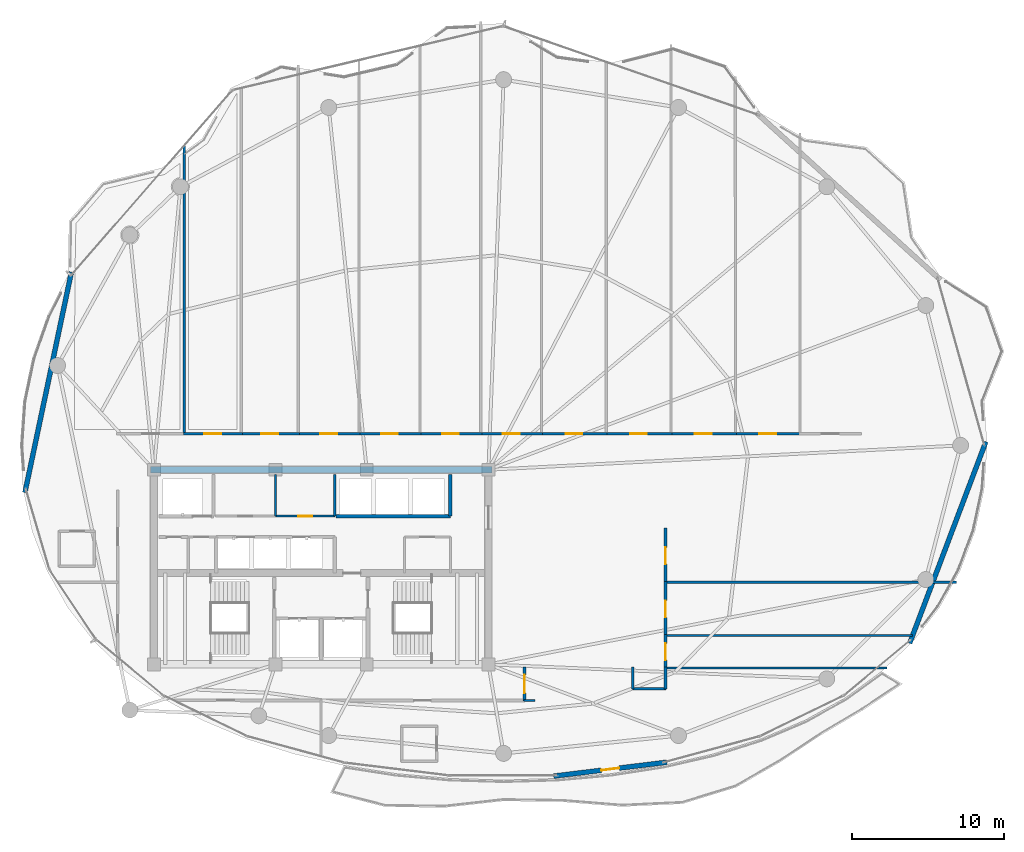
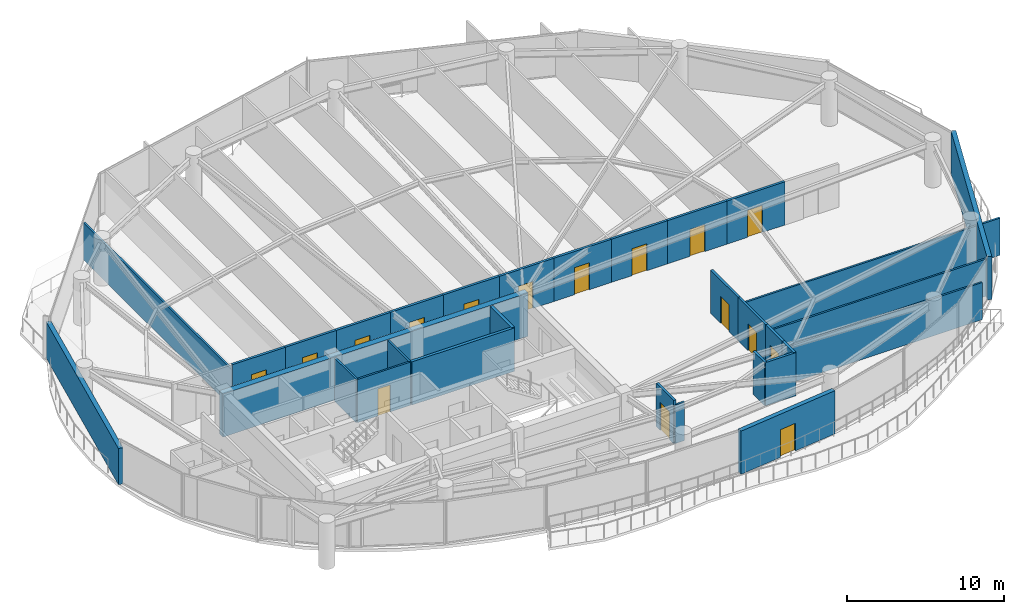
# One storey, part 24 of 29: 31 walls, 16 doors, 16 openings.
"""IFC4 building model written with IfcOpenShell, lengths in metres."""

from ifc_helpers import new_model, si_unit, direction, frame, frame_2d, origin, place, context, subcontext, project, spatial, rectangle, extrude, material, layer, layer_set, type_object, element, fill, save


model = new_model("IFC4")

# Units and contexts
model_context = context("Model", 3, precision=1e-05, world=origin(), true_north=direction((0.0, 1.0)))
body_context = subcontext(model_context, "Body", "Model", "MODEL_VIEW")
ifc_project = project(units=[si_unit("LENGTHUNIT", "METRE"), si_unit("AREAUNIT", "SQUARE_METRE"), si_unit("VOLUMEUNIT", "CUBIC_METRE"), si_unit("PLANEANGLEUNIT", "RADIAN"), si_unit("MASSUNIT", "GRAM", prefix="KILO")], contexts=[model_context])

# Site, building, storey
site_placement = place(None, origin())
site = spatial("IfcSite", under=ifc_project, at=site_placement, CompositionType="ELEMENT")
building_placement = place(site_placement, origin())
building = spatial("IfcBuilding", under=site, at=building_placement, Name="Kazevale Care Tower and Concert Hall", CompositionType="ELEMENT")
storey_placement = place(building_placement, frame((0.0, 0.0, 195.60009765625)))
storey = spatial("IfcBuildingStorey", under=building, at=storey_placement, Name="L51", CompositionType="ELEMENT", Elevation=195.60009765625)

# Wall, opening, door
ifc_material_1 = material(Name="Acoustic Gypsum on Steel Stud", Category="steel")
ifc_layer_1 = layer(ifc_material_1, 0.139892578125)
ifc_layer_set_1 = layer_set([ifc_layer_1], Name="Acoustic Gypsum on Steel Stud")
wall_type_1 = type_object("IfcWallType", Name="Acoustic Care & Suite Partition 140", PredefinedType="PARTITIONING", material=ifc_layer_set_1)
wall_1_placement = place(storey_placement, frame((30.0, 33.35009765625, 0.0), z_axis=(0.0, 0.0, 1.0), x_axis=(1.0, 0.0, 0.0)))
wall_1 = element("IfcWall", 1, at=wall_1_placement, inside=storey, type_object=wall_type_1, Name="wall:L51:c_rpl2_s", PredefinedType="PARTITIONING", context=body_context, shape_type="SweptSolid", body=[
    extrude(rectangle(XDim=3.919921875, YDim=0.139892578125, at=frame_2d((1.9599609375, 0.0))), origin(), (0.0, 0.0, 1.0), 3.35986328125),
])
opening_1_placement = place(wall_1_placement, frame((1.5, 0.0, 0.0)))
opening_1 = element("IfcOpeningElement", 2, at=opening_1_placement, cuts=wall_1, Name="Opening ID-900", PredefinedType="OPENING", context=body_context, shape_type="SweptSolid", body=[
    extrude(rectangle(XDim=0.919921875, YDim=2.10009765625, at=frame_2d((0.4599609375, 1.050048828125))), frame((0.0, 0.079833984375, 0.0), z_axis=(0.0, -1.0, 0.0), x_axis=(1.0, 0.0, 0.0)), (0.0, 0.0, 1.0), 0.159912109375),
])
ifc_material_2 = material(Name="Oak Timber Fire Leaf", Category="wood")
door_type_1 = type_object("IfcDoorType", Name="Bathroom & Service Door 920x2100", OperationType="NOTDEFINED", PredefinedType="DOOR", material=ifc_material_2)
door_1_placement = place(opening_1_placement, origin())
door_1 = element("IfcDoor", 3, at=door_1_placement, inside=storey, type_object=door_type_1, Name="door:L51:d_rpl2", OperationType="SINGLE_SWING_RIGHT", OverallHeight=2.10009765625, OverallWidth=0.919921875, PredefinedType="DOOR", context=body_context, shape_type="SweptSolid", body=[
    extrude(rectangle(XDim=0.919921875, YDim=2.10009765625, at=frame_2d((0.4599609375, 1.050048828125))), frame((0.0, 0.02490234375, 0.0), z_axis=(0.0, -1.0, 0.0), x_axis=(1.0, 0.0, 0.0)), (0.0, 0.0, 1.0), 0.050048828125),
])
fill(opening_1, door_1)

# Walls
for number, where, z_axis, x_axis, name in (
    (4, (30.0, 33.35009765625, 0.0), (0.0, 0.0, 1.0), (0.0, 1.0, 0.0), "wall:L51:c_rpl_m"),
    (5, (33.89990234375, 33.35009765625, 0.0), (0.0, 0.0, 1.0), (0.0, 1.0, 0.0), "wall:L51:c_rpl_e"),
):
    element("IfcWall", number, at=place(storey_placement, frame(where, z_axis=z_axis, x_axis=x_axis)), inside=storey, type_object=wall_type_1, Name=name, PredefinedType="PARTITIONING", context=body_context, shape_type="SweptSolid", body=[
        extrude(rectangle(XDim=2.75, YDim=0.139892578125, at=frame_2d((1.375, 0.0))), origin(), (0.0, 0.0, 1.0), 3.35986328125),
    ])
wall_2_placement = place(storey_placement, frame((24.0, 57.708984375, 0.0), z_axis=(0.0, 0.0, 1.0), x_axis=(0.0, -1.0, 0.0)))
element("IfcWall", 6, at=wall_2_placement, inside=storey, type_object=wall_type_1, Name="wall:L51:auto_024", PredefinedType="PARTITIONING", context=body_context, shape_type="SweptSolid", body=[
    extrude(rectangle(XDim=18.9638671875, YDim=0.139892578125, at=frame_2d((9.48193359375, 0.0))), origin(), (0.0, 0.0, 1.0), 2.889892578125),
])
wall_3_placement = place(storey_placement, frame((55.6201171875, 23.360107421875, 0.0), z_axis=(0.0, 0.0, 1.0), x_axis=(1.0, 0.0, 0.0)))
element("IfcWall", 7, at=wall_3_placement, inside=storey, type_object=wall_type_1, Name="wall:L51:auto_035", PredefinedType="PARTITIONING", context=body_context, shape_type="SweptSolid", body=[
    extrude(rectangle(XDim=14.594970703125, YDim=0.139892578125, at=frame_2d((7.29736328125, 0.0))), origin(), (0.0, 0.0, 1.0), 2.889892578125),
])
wall_4_placement = place(storey_placement, frame((47.06494140625, 21.22509765625, 0.0), z_axis=(0.0, 0.0, 1.0), x_axis=(-1.0, 0.0, 0.0)))
element("IfcWall", 8, at=wall_4_placement, inside=storey, type_object=wall_type_1, Name="wall:L51:auto_036", PredefinedType="PARTITIONING", context=body_context, shape_type="SweptSolid", body=[
    extrude(rectangle(XDim=0.719970703125, YDim=0.139892578125, at=frame_2d((0.35986328125, 0.0))), origin(), (0.0, 0.0, 1.0), 2.995849609375),
])
wall_5_placement = place(storey_placement, frame((55.6201171875, 25.5, 0.0), z_axis=(0.0, 0.0, 1.0), x_axis=(1.0, 0.0, 0.0)))
element("IfcWall", 9, at=wall_5_placement, inside=storey, type_object=wall_type_1, Name="wall:L51:auto_037", PredefinedType="PARTITIONING", context=body_context, shape_type="SweptSolid", body=[
    extrude(rectangle(XDim=16.263916015625, YDim=0.139892578125, at=frame_2d((8.1318359375, 0.0))), origin(), (0.0, 0.0, 1.0), 2.889892578125),
])
wall_6_placement = place(storey_placement, frame((55.6201171875, 29.0, 0.0), z_axis=(0.0, 0.0, 1.0), x_axis=(1.0, 0.0, 0.0)))
element("IfcWall", 10, at=wall_6_placement, inside=storey, type_object=wall_type_1, Name="wall:L51:auto_038", PredefinedType="PARTITIONING", context=body_context, shape_type="SweptSolid", body=[
    extrude(rectangle(XDim=19.14990234375, YDim=0.139892578125, at=frame_2d((9.574951171875, 0.0))), origin(), (0.0, 0.0, 1.0), 2.889892578125),
])
ifc_material_3 = material(Name="Concrete C50", Category="concrete")
ifc_layer_2 = layer(ifc_material_3, 0.449951171875)
ifc_layer_set_2 = layer_set([ifc_layer_2], Name="Concrete C50")
wall_type_2 = type_object("IfcWallType", Name="Core Shear Wall 450 C50", PredefinedType="SHEAR", material=ifc_layer_set_2)
wall_7_placement = place(storey_placement, frame((21.77490234375, 36.39990234375, 0.0), z_axis=(0.0, 0.0, 1.0), x_axis=(1.0, 0.0, 0.0)))
element("IfcWall", 11, at=wall_7_placement, inside=storey, type_object=wall_type_2, Name="wall:L51:core:N", PredefinedType="SHEAR", context=body_context, shape_type="SweptSolid", body=[
    extrude(rectangle(XDim=22.4501953125, YDim=0.449951171875, at=frame_2d((11.22509765625, 0.0))), origin(), (0.0, 0.0, 1.0), 3.35986328125),
])
ifc_material_4 = material(Name="Concrete C40", Category="concrete")
ifc_layer_3 = layer(ifc_material_4, 0.219970703125)
ifc_layer_set_3 = layer_set([ifc_layer_3], Name="Concrete C40")
wall_type_3 = type_object("IfcWallType", Name="Elevator Hoistway Shaft Wall 220", PredefinedType="SOLIDWALL", material=ifc_layer_set_3)
wall_8_placement = place(storey_placement, frame((33.97998046875, 33.35009765625, 0.0), z_axis=(0.0, 0.0, 1.0), x_axis=(1.0, 0.0, 0.0)))
element("IfcWall", 12, at=wall_8_placement, inside=storey, type_object=wall_type_3, Name="wall:L51:c_pm_s", PredefinedType="SOLIDWALL", context=body_context, shape_type="SweptSolid", body=[
    extrude(rectangle(XDim=7.5400390625, YDim=0.219970703125, at=frame_2d((3.77001953125, 0.0))), origin(), (0.0, 0.0, 1.0), 3.35986328125),
])
wall_9_placement = place(storey_placement, frame((41.5, 33.35009765625, 0.0), z_axis=(0.0, 0.0, 1.0), x_axis=(0.0, 1.0, 0.0)))
element("IfcWall", 13, at=wall_9_placement, inside=storey, type_object=wall_type_3, Name="wall:L51:c_pm_e", PredefinedType="SOLIDWALL", context=body_context, shape_type="SweptSolid", body=[
    extrude(rectangle(XDim=2.75, YDim=0.219970703125, at=frame_2d((1.375, 0.0))), origin(), (0.0, 0.0, 1.0), 3.35986328125),
])

# Wall, opening, door
ifc_material_5 = material(Name="Concrete C40 and Acoustic Gypsum", Category="concrete")
ifc_layer_4 = layer(ifc_material_5, 0.179931640625)
ifc_layer_set_4 = layer_set([ifc_layer_4], Name="Concrete C40 and Acoustic Gypsum")
wall_type_4 = type_object("IfcWallType", Name="Fire-Rated Corridor & Party Wall 180", PredefinedType="PARTITIONING", material=ifc_layer_set_4)
wall_10_placement = place(storey_placement, frame((23.93505859375, 38.77490234375, 0.0), z_axis=(0.0, 0.0, 1.0), x_axis=(1.0, 0.0, 0.0)))
wall_10 = element("IfcWall", 14, at=wall_10_placement, inside=storey, type_object=wall_type_4, Name="wall:L51:auto_002", PredefinedType="PARTITIONING", context=body_context, shape_type="SweptSolid", body=[
    extrude(rectangle(XDim=3.8798828125, YDim=0.179931640625, at=frame_2d((1.93994140625, 0.0))), origin(), (0.0, 0.0, 1.0), 3.35986328125),
])
opening_2_placement = place(wall_10_placement, frame((1.389892578125, 0.0, 0.0)))
opening_2 = element("IfcOpeningElement", 15, at=opening_2_placement, cuts=wall_10, Name="Opening ID-1100", PredefinedType="OPENING", context=body_context, shape_type="SweptSolid", body=[
    extrude(rectangle(XDim=1.10009765625, YDim=2.10009765625, at=frame_2d((0.550048828125, 1.050048828125))), frame((0.0, 0.099853515625, 0.0), z_axis=(0.0, -1.0, 0.0), x_axis=(1.0, 0.0, 0.0)), (0.0, 0.0, 1.0), 0.199951171875),
])
door_type_2 = type_object("IfcDoorType", Name="Care Bedroom Accessible Door 1100x2100", OperationType="NOTDEFINED", PredefinedType="DOOR", material=ifc_material_2)
door_2_placement = place(opening_2_placement, origin())
door_2 = element("IfcDoor", 16, at=door_2_placement, inside=storey, type_object=door_type_2, Name="door:L51:ad_002", OperationType="SINGLE_SWING_LEFT", OverallHeight=2.10009765625, OverallWidth=1.10009765625, PredefinedType="DOOR", context=body_context, shape_type="SweptSolid", body=[
    extrude(rectangle(XDim=1.10009765625, YDim=2.10009765625, at=frame_2d((0.550048828125, 1.050048828125))), frame((0.0, 0.02490234375, 0.0), z_axis=(0.0, -1.0, 0.0), x_axis=(1.0, 0.0, 0.0)), (0.0, 0.0, 1.0), 0.050048828125),
])
fill(opening_2, door_2)

wall_11_placement = place(storey_placement, frame((27.68505859375, 38.77490234375, 0.0), z_axis=(0.0, 0.0, 1.0), x_axis=(1.0, 0.0, 0.0)))
wall_11 = element("IfcWall", 17, at=wall_11_placement, inside=storey, type_object=wall_type_4, Name="wall:L51:auto_003", PredefinedType="PARTITIONING", context=body_context, shape_type="SweptSolid", body=[
    extrude(rectangle(XDim=3.8798828125, YDim=0.179931640625, at=frame_2d((1.93994140625, 0.0))), origin(), (0.0, 0.0, 1.0), 3.35986328125),
])
opening_3_placement = place(wall_11_placement, frame((1.389892578125, 0.0, 0.0)))
opening_3 = element("IfcOpeningElement", 18, at=opening_3_placement, cuts=wall_11, Name="Opening ID-1100", PredefinedType="OPENING", context=body_context, shape_type="SweptSolid", body=[
    extrude(rectangle(XDim=1.10009765625, YDim=2.10009765625, at=frame_2d((0.550048828125, 1.050048828125))), frame((0.0, 0.099853515625, 0.0), z_axis=(0.0, -1.0, 0.0), x_axis=(1.0, 0.0, 0.0)), (0.0, 0.0, 1.0), 0.199951171875),
])
door_3_placement = place(opening_3_placement, origin())
door_3 = element("IfcDoor", 19, at=door_3_placement, inside=storey, type_object=door_type_2, Name="door:L51:ad_003", OperationType="SINGLE_SWING_LEFT", OverallHeight=2.10009765625, OverallWidth=1.10009765625, PredefinedType="DOOR", context=body_context, shape_type="SweptSolid", body=[
    extrude(rectangle(XDim=1.10009765625, YDim=2.10009765625, at=frame_2d((0.550048828125, 1.050048828125))), frame((0.0, 0.02490234375, 0.0), z_axis=(0.0, -1.0, 0.0), x_axis=(1.0, 0.0, 0.0)), (0.0, 0.0, 1.0), 0.050048828125),
])
fill(opening_3, door_3)

wall_12_placement = place(storey_placement, frame((31.43505859375, 38.77490234375, 0.0), z_axis=(0.0, 0.0, 1.0), x_axis=(1.0, 0.0, 0.0)))
wall_12 = element("IfcWall", 20, at=wall_12_placement, inside=storey, type_object=wall_type_4, Name="wall:L51:auto_004", PredefinedType="PARTITIONING", context=body_context, shape_type="SweptSolid", body=[
    extrude(rectangle(XDim=4.1298828125, YDim=0.179931640625, at=frame_2d((2.06494140625, 0.0))), origin(), (0.0, 0.0, 1.0), 3.35986328125),
])
opening_4_placement = place(wall_12_placement, frame((1.514892578125, 0.0, 0.0)))
opening_4 = element("IfcOpeningElement", 21, at=opening_4_placement, cuts=wall_12, Name="Opening ID-1100", PredefinedType="OPENING", context=body_context, shape_type="SweptSolid", body=[
    extrude(rectangle(XDim=1.10009765625, YDim=2.10009765625, at=frame_2d((0.550048828125, 1.050048828125))), frame((0.0, 0.099853515625, 0.0), z_axis=(0.0, -1.0, 0.0), x_axis=(1.0, 0.0, 0.0)), (0.0, 0.0, 1.0), 0.199951171875),
])
door_4_placement = place(opening_4_placement, origin())
door_4 = element("IfcDoor", 22, at=door_4_placement, inside=storey, type_object=door_type_2, Name="door:L51:ad_004", OperationType="SINGLE_SWING_LEFT", OverallHeight=2.10009765625, OverallWidth=1.10009765625, PredefinedType="DOOR", context=body_context, shape_type="SweptSolid", body=[
    extrude(rectangle(XDim=1.10009765625, YDim=2.10009765625, at=frame_2d((0.550048828125, 1.050048828125))), frame((0.0, 0.02490234375, 0.0), z_axis=(0.0, -1.0, 0.0), x_axis=(1.0, 0.0, 0.0)), (0.0, 0.0, 1.0), 0.050048828125),
])
fill(opening_4, door_4)

wall_13_placement = place(storey_placement, frame((35.43505859375, 38.77490234375, 0.0), z_axis=(0.0, 0.0, 1.0), x_axis=(1.0, 0.0, 0.0)))
wall_13 = element("IfcWall", 23, at=wall_13_placement, inside=storey, type_object=wall_type_4, Name="wall:L51:auto_005", PredefinedType="PARTITIONING", context=body_context, shape_type="SweptSolid", body=[
    extrude(rectangle(XDim=4.1298828125, YDim=0.179931640625, at=frame_2d((2.06494140625, 0.0))), origin(), (0.0, 0.0, 1.0), 3.35986328125),
])
opening_5_placement = place(wall_13_placement, frame((1.514892578125, 0.0, 0.0)))
opening_5 = element("IfcOpeningElement", 24, at=opening_5_placement, cuts=wall_13, Name="Opening ID-1100", PredefinedType="OPENING", context=body_context, shape_type="SweptSolid", body=[
    extrude(rectangle(XDim=1.10009765625, YDim=2.10009765625, at=frame_2d((0.550048828125, 1.050048828125))), frame((0.0, 0.099853515625, 0.0), z_axis=(0.0, -1.0, 0.0), x_axis=(1.0, 0.0, 0.0)), (0.0, 0.0, 1.0), 0.199951171875),
])
door_5_placement = place(opening_5_placement, origin())
door_5 = element("IfcDoor", 25, at=door_5_placement, inside=storey, type_object=door_type_2, Name="door:L51:ad_005", OperationType="SINGLE_SWING_LEFT", OverallHeight=2.10009765625, OverallWidth=1.10009765625, PredefinedType="DOOR", context=body_context, shape_type="SweptSolid", body=[
    extrude(rectangle(XDim=1.10009765625, YDim=2.10009765625, at=frame_2d((0.550048828125, 1.050048828125))), frame((0.0, 0.02490234375, 0.0), z_axis=(0.0, -1.0, 0.0), x_axis=(1.0, 0.0, 0.0)), (0.0, 0.0, 1.0), 0.050048828125),
])
fill(opening_5, door_5)

wall_14_placement = place(storey_placement, frame((39.43505859375, 38.77490234375, 0.0), z_axis=(0.0, 0.0, 1.0), x_axis=(1.0, 0.0, 0.0)))
wall_14 = element("IfcWall", 26, at=wall_14_placement, inside=storey, type_object=wall_type_4, Name="wall:L51:auto_006", PredefinedType="PARTITIONING", context=body_context, shape_type="SweptSolid", body=[
    extrude(rectangle(XDim=4.1298828125, YDim=0.179931640625, at=frame_2d((2.06494140625, 0.0))), origin(), (0.0, 0.0, 1.0), 3.35986328125),
])
opening_6_placement = place(wall_14_placement, frame((1.514892578125, 0.0, 0.0)))
opening_6 = element("IfcOpeningElement", 27, at=opening_6_placement, cuts=wall_14, Name="Opening ID-1100", PredefinedType="OPENING", context=body_context, shape_type="SweptSolid", body=[
    extrude(rectangle(XDim=1.10009765625, YDim=2.10009765625, at=frame_2d((0.550048828125, 1.050048828125))), frame((0.0, 0.099853515625, 0.0), z_axis=(0.0, -1.0, 0.0), x_axis=(1.0, 0.0, 0.0)), (0.0, 0.0, 1.0), 0.199951171875),
])
door_6_placement = place(opening_6_placement, origin())
door_6 = element("IfcDoor", 28, at=door_6_placement, inside=storey, type_object=door_type_2, Name="door:L51:ad_006", OperationType="SINGLE_SWING_LEFT", OverallHeight=2.10009765625, OverallWidth=1.10009765625, PredefinedType="DOOR", context=body_context, shape_type="SweptSolid", body=[
    extrude(rectangle(XDim=1.10009765625, YDim=2.10009765625, at=frame_2d((0.550048828125, 1.050048828125))), frame((0.0, 0.02490234375, 0.0), z_axis=(0.0, -1.0, 0.0), x_axis=(1.0, 0.0, 0.0)), (0.0, 0.0, 1.0), 0.050048828125),
])
fill(opening_6, door_6)

wall_15_placement = place(storey_placement, frame((43.43505859375, 38.77490234375, 0.0), z_axis=(0.0, 0.0, 1.0), x_axis=(1.0, 0.0, 0.0)))
wall_15 = element("IfcWall", 29, at=wall_15_placement, inside=storey, type_object=wall_type_4, Name="wall:L51:auto_007", PredefinedType="PARTITIONING", context=body_context, shape_type="SweptSolid", body=[
    extrude(rectangle(XDim=4.1298828125, YDim=0.179931640625, at=frame_2d((2.06494140625, 0.0))), origin(), (0.0, 0.0, 1.0), 3.35986328125),
])
opening_7_placement = place(wall_15_placement, frame((1.514892578125, 0.0, 0.0)))
opening_7 = element("IfcOpeningElement", 30, at=opening_7_placement, cuts=wall_15, Name="Opening ID-1100", PredefinedType="OPENING", context=body_context, shape_type="SweptSolid", body=[
    extrude(rectangle(XDim=1.10009765625, YDim=2.10009765625, at=frame_2d((0.550048828125, 1.050048828125))), frame((0.0, 0.099853515625, 0.0), z_axis=(0.0, -1.0, 0.0), x_axis=(1.0, 0.0, 0.0)), (0.0, 0.0, 1.0), 0.199951171875),
])
door_7_placement = place(opening_7_placement, origin())
door_7 = element("IfcDoor", 31, at=door_7_placement, inside=storey, type_object=door_type_2, Name="door:L51:ad_007", OperationType="SINGLE_SWING_LEFT", OverallHeight=2.10009765625, OverallWidth=1.10009765625, PredefinedType="DOOR", context=body_context, shape_type="SweptSolid", body=[
    extrude(rectangle(XDim=1.10009765625, YDim=2.10009765625, at=frame_2d((0.550048828125, 1.050048828125))), frame((0.0, 0.02490234375, 0.0), z_axis=(0.0, -1.0, 0.0), x_axis=(1.0, 0.0, 0.0)), (0.0, 0.0, 1.0), 0.050048828125),
])
fill(opening_7, door_7)

wall_16_placement = place(storey_placement, frame((47.43505859375, 38.77490234375, 0.0), z_axis=(0.0, 0.0, 1.0), x_axis=(1.0, 0.0, 0.0)))
wall_16 = element("IfcWall", 32, at=wall_16_placement, inside=storey, type_object=wall_type_4, Name="wall:L51:auto_008", PredefinedType="PARTITIONING", context=body_context, shape_type="SweptSolid", body=[
    extrude(rectangle(XDim=4.3798828125, YDim=0.179931640625, at=frame_2d((2.18994140625, 0.0))), origin(), (0.0, 0.0, 1.0), 3.35986328125),
])
opening_8_placement = place(wall_16_placement, frame((1.639892578125, 0.0, 0.0)))
opening_8 = element("IfcOpeningElement", 33, at=opening_8_placement, cuts=wall_16, Name="Opening ID-1100", PredefinedType="OPENING", context=body_context, shape_type="SweptSolid", body=[
    extrude(rectangle(XDim=1.10009765625, YDim=2.10009765625, at=frame_2d((0.550048828125, 1.050048828125))), frame((0.0, 0.099853515625, 0.0), z_axis=(0.0, -1.0, 0.0), x_axis=(1.0, 0.0, 0.0)), (0.0, 0.0, 1.0), 0.199951171875),
])
door_8_placement = place(opening_8_placement, origin())
door_8 = element("IfcDoor", 34, at=door_8_placement, inside=storey, type_object=door_type_2, Name="door:L51:ad_008", OperationType="SINGLE_SWING_LEFT", OverallHeight=2.10009765625, OverallWidth=1.10009765625, PredefinedType="DOOR", context=body_context, shape_type="SweptSolid", body=[
    extrude(rectangle(XDim=1.10009765625, YDim=2.10009765625, at=frame_2d((0.550048828125, 1.050048828125))), frame((0.0, 0.02490234375, 0.0), z_axis=(0.0, -1.0, 0.0), x_axis=(1.0, 0.0, 0.0)), (0.0, 0.0, 1.0), 0.050048828125),
])
fill(opening_8, door_8)

wall_17_placement = place(storey_placement, frame((51.68505859375, 38.77490234375, 0.0), z_axis=(0.0, 0.0, 1.0), x_axis=(1.0, 0.0, 0.0)))
wall_17 = element("IfcWall", 35, at=wall_17_placement, inside=storey, type_object=wall_type_4, Name="wall:L51:auto_009", PredefinedType="PARTITIONING", context=body_context, shape_type="SweptSolid", body=[
    extrude(rectangle(XDim=4.3798828125, YDim=0.179931640625, at=frame_2d((2.18994140625, 0.0))), origin(), (0.0, 0.0, 1.0), 3.35986328125),
])
opening_9_placement = place(wall_17_placement, frame((1.639892578125, 0.0, 0.0)))
opening_9 = element("IfcOpeningElement", 36, at=opening_9_placement, cuts=wall_17, Name="Opening ID-1100", PredefinedType="OPENING", context=body_context, shape_type="SweptSolid", body=[
    extrude(rectangle(XDim=1.10009765625, YDim=2.10009765625, at=frame_2d((0.550048828125, 1.050048828125))), frame((0.0, 0.099853515625, 0.0), z_axis=(0.0, -1.0, 0.0), x_axis=(1.0, 0.0, 0.0)), (0.0, 0.0, 1.0), 0.199951171875),
])
door_9_placement = place(opening_9_placement, origin())
door_9 = element("IfcDoor", 37, at=door_9_placement, inside=storey, type_object=door_type_2, Name="door:L51:ad_009", OperationType="SINGLE_SWING_LEFT", OverallHeight=2.10009765625, OverallWidth=1.10009765625, PredefinedType="DOOR", context=body_context, shape_type="SweptSolid", body=[
    extrude(rectangle(XDim=1.10009765625, YDim=2.10009765625, at=frame_2d((0.550048828125, 1.050048828125))), frame((0.0, 0.02490234375, 0.0), z_axis=(0.0, -1.0, 0.0), x_axis=(1.0, 0.0, 0.0)), (0.0, 0.0, 1.0), 0.050048828125),
])
fill(opening_9, door_9)

wall_18_placement = place(storey_placement, frame((55.93505859375, 38.77490234375, 0.0), z_axis=(0.0, 0.0, 1.0), x_axis=(1.0, 0.0, 0.0)))
wall_18 = element("IfcWall", 38, at=wall_18_placement, inside=storey, type_object=wall_type_4, Name="wall:L51:auto_010", PredefinedType="PARTITIONING", context=body_context, shape_type="SweptSolid", body=[
    extrude(rectangle(XDim=4.3798828125, YDim=0.179931640625, at=frame_2d((2.18994140625, 0.0))), origin(), (0.0, 0.0, 1.0), 3.35986328125),
])
opening_10_placement = place(wall_18_placement, frame((1.639892578125, 0.0, 0.0)))
opening_10 = element("IfcOpeningElement", 39, at=opening_10_placement, cuts=wall_18, Name="Opening ID-1100", PredefinedType="OPENING", context=body_context, shape_type="SweptSolid", body=[
    extrude(rectangle(XDim=1.10009765625, YDim=2.10009765625, at=frame_2d((0.550048828125, 1.050048828125))), frame((0.0, 0.099853515625, 0.0), z_axis=(0.0, -1.0, 0.0), x_axis=(1.0, 0.0, 0.0)), (0.0, 0.0, 1.0), 0.199951171875),
])
door_10_placement = place(opening_10_placement, origin())
door_10 = element("IfcDoor", 40, at=door_10_placement, inside=storey, type_object=door_type_2, Name="door:L51:ad_010", OperationType="SINGLE_SWING_LEFT", OverallHeight=2.10009765625, OverallWidth=1.10009765625, PredefinedType="DOOR", context=body_context, shape_type="SweptSolid", body=[
    extrude(rectangle(XDim=1.10009765625, YDim=2.10009765625, at=frame_2d((0.550048828125, 1.050048828125))), frame((0.0, 0.02490234375, 0.0), z_axis=(0.0, -1.0, 0.0), x_axis=(1.0, 0.0, 0.0)), (0.0, 0.0, 1.0), 0.050048828125),
])
fill(opening_10, door_10)

wall_19_placement = place(storey_placement, frame((60.18505859375, 38.77490234375, 0.0), z_axis=(0.0, 0.0, 1.0), x_axis=(1.0, 0.0, 0.0)))
wall_19 = element("IfcWall", 41, at=wall_19_placement, inside=storey, type_object=wall_type_4, Name="wall:L51:auto_011", PredefinedType="PARTITIONING", context=body_context, shape_type="SweptSolid", body=[
    extrude(rectangle(XDim=4.3798828125, YDim=0.179931640625, at=frame_2d((2.18994140625, 0.0))), origin(), (0.0, 0.0, 1.0), 3.35986328125),
])
opening_11_placement = place(wall_19_placement, frame((1.639892578125, 0.0, 0.0)))
opening_11 = element("IfcOpeningElement", 42, at=opening_11_placement, cuts=wall_19, Name="Opening ID-1100", PredefinedType="OPENING", context=body_context, shape_type="SweptSolid", body=[
    extrude(rectangle(XDim=1.10009765625, YDim=2.10009765625, at=frame_2d((0.550048828125, 1.050048828125))), frame((0.0, 0.099853515625, 0.0), z_axis=(0.0, -1.0, 0.0), x_axis=(1.0, 0.0, 0.0)), (0.0, 0.0, 1.0), 0.199951171875),
])
door_11_placement = place(opening_11_placement, origin())
door_11 = element("IfcDoor", 43, at=door_11_placement, inside=storey, type_object=door_type_2, Name="door:L51:ad_011", OperationType="SINGLE_SWING_LEFT", OverallHeight=2.10009765625, OverallWidth=1.10009765625, PredefinedType="DOOR", context=body_context, shape_type="SweptSolid", body=[
    extrude(rectangle(XDim=1.10009765625, YDim=2.10009765625, at=frame_2d((0.550048828125, 1.050048828125))), frame((0.0, 0.02490234375, 0.0), z_axis=(0.0, -1.0, 0.0), x_axis=(1.0, 0.0, 0.0)), (0.0, 0.0, 1.0), 0.050048828125),
])
fill(opening_11, door_11)

wall_20_placement = place(storey_placement, frame((46.375, 23.425048828125, 0.0), z_axis=(0.0, 0.0, 1.0), x_axis=(0.0, -1.0, 0.0)))
wall_20 = element("IfcWall", 44, at=wall_20_placement, inside=storey, type_object=wall_type_4, Name="wall:L51:auto_013", PredefinedType="PARTITIONING", context=body_context, shape_type="SweptSolid", body=[
    extrude(rectangle(XDim=2.22998046875, YDim=0.179931640625, at=frame_2d((1.114990234375, 0.0))), origin(), (0.0, 0.0, 1.0), 3.35986328125),
])
opening_12_placement = place(wall_20_placement, frame((0.514892578125, 0.0, 0.0)))
opening_12 = element("IfcOpeningElement", 45, at=opening_12_placement, cuts=wall_20, Name="Opening ID-1200", PredefinedType="OPENING", context=body_context, shape_type="SweptSolid", body=[
    extrude(rectangle(XDim=1.199951171875, YDim=2.14990234375, at=frame_2d((0.60009765625, 1.074951171875))), frame((0.0, 0.099853515625, 0.0), z_axis=(0.0, -1.0, 0.0), x_axis=(1.0, 0.0, 0.0)), (0.0, 0.0, 1.0), 0.199951171875),
])
door_type_3 = type_object("IfcDoorType", Name="Clinical & Therapy Door 1200x2150", OperationType="NOTDEFINED", PredefinedType="DOOR", material=ifc_material_2)
door_12_placement = place(opening_12_placement, origin())
door_12 = element("IfcDoor", 46, at=door_12_placement, inside=storey, type_object=door_type_3, Name="door:L51:ad_013", OperationType="SINGLE_SWING_LEFT", OverallHeight=2.14990234375, OverallWidth=1.199951171875, PredefinedType="DOOR", context=body_context, shape_type="SweptSolid", body=[
    extrude(rectangle(XDim=1.199951171875, YDim=2.14990234375, at=frame_2d((0.60009765625, 1.074951171875))), frame((0.0, 0.02490234375, 0.0), z_axis=(0.0, -1.0, 0.0), x_axis=(1.0, 0.0, 0.0)), (0.0, 0.0, 1.0), 0.050048828125),
])
fill(opening_12, door_12)

# Walls
wall_21_placement = place(storey_placement, frame((55.679931640625, 22.0, 0.0), z_axis=(0.0, 0.0, 1.0), x_axis=(-1.0, 0.0, 0.0)))
element("IfcWall", 47, at=wall_21_placement, inside=storey, type_object=wall_type_4, Name="wall:L51:auto_014", PredefinedType="PARTITIONING", context=body_context, shape_type="SweptSolid", body=[
    extrude(rectangle(XDim=2.2099609375, YDim=0.179931640625, at=frame_2d((1.10498046875, 0.0))), origin(), (0.0, 0.0, 1.0), 3.35986328125),
])
for number, where, z_axis, x_axis, name in (
    (48, (55.64990234375, 23.425048828125, 0.0), (0.0, 0.0, 1.0), (0.0, -1.0, 0.0), "wall:L51:auto_015"),
    (49, (53.5, 21.969970703125, 0.0), (0.0, 0.0, 1.0), (0.0, 1.0, 0.0), "wall:L51:auto_016"),
):
    element("IfcWall", number, at=place(storey_placement, frame(where, z_axis=z_axis, x_axis=x_axis)), inside=storey, type_object=wall_type_4, Name=name, PredefinedType="PARTITIONING", context=body_context, shape_type="SweptSolid", body=[
        extrude(rectangle(XDim=1.455078125, YDim=0.179931640625, at=frame_2d((0.7275390625, 0.0))), origin(), (0.0, 0.0, 1.0), 3.35986328125),
    ])

# Wall, opening, door
wall_22_placement = place(storey_placement, frame((55.64990234375, 25.56494140625, 0.0), z_axis=(0.0, 0.0, 1.0), x_axis=(0.0, -1.0, 0.0)))
wall_22 = element("IfcWall", 50, at=wall_22_placement, inside=storey, type_object=wall_type_4, Name="wall:L51:auto_017", PredefinedType="PARTITIONING", context=body_context, shape_type="SweptSolid", body=[
    extrude(rectangle(XDim=2.27001953125, YDim=0.179931640625, at=frame_2d((1.135009765625, 0.0))), origin(), (0.0, 0.0, 1.0), 3.35986328125),
])
opening_13_placement = place(wall_22_placement, frame((0.5849609375, 0.0, 0.0)))
opening_13 = element("IfcOpeningElement", 51, at=opening_13_placement, cuts=wall_22, Name="Opening ID-1100", PredefinedType="OPENING", context=body_context, shape_type="SweptSolid", body=[
    extrude(rectangle(XDim=1.10009765625, YDim=2.10009765625, at=frame_2d((0.550048828125, 1.050048828125))), frame((0.0, 0.099853515625, 0.0), z_axis=(0.0, -1.0, 0.0), x_axis=(1.0, 0.0, 0.0)), (0.0, 0.0, 1.0), 0.199951171875),
])
door_13_placement = place(opening_13_placement, origin())
door_13 = element("IfcDoor", 52, at=door_13_placement, inside=storey, type_object=door_type_2, Name="door:L51:ad_017", OperationType="SINGLE_SWING_LEFT", OverallHeight=2.10009765625, OverallWidth=1.10009765625, PredefinedType="DOOR", context=body_context, shape_type="SweptSolid", body=[
    extrude(rectangle(XDim=1.10009765625, YDim=2.10009765625, at=frame_2d((0.550048828125, 1.050048828125))), frame((0.0, 0.02490234375, 0.0), z_axis=(0.0, -1.0, 0.0), x_axis=(1.0, 0.0, 0.0)), (0.0, 0.0, 1.0), 0.050048828125),
])
fill(opening_13, door_13)

wall_23_placement = place(storey_placement, frame((55.64990234375, 29.06494140625, 0.0), z_axis=(0.0, 0.0, 1.0), x_axis=(0.0, -1.0, 0.0)))
wall_23 = element("IfcWall", 53, at=wall_23_placement, inside=storey, type_object=wall_type_4, Name="wall:L51:auto_018", PredefinedType="PARTITIONING", context=body_context, shape_type="SweptSolid", body=[
    extrude(rectangle(XDim=3.6298828125, YDim=0.179931640625, at=frame_2d((1.81494140625, 0.0))), origin(), (0.0, 0.0, 1.0), 3.35986328125),
])
opening_14_placement = place(wall_23_placement, frame((1.264892578125, 0.0, 0.0)))
opening_14 = element("IfcOpeningElement", 54, at=opening_14_placement, cuts=wall_23, Name="Opening ID-1100", PredefinedType="OPENING", context=body_context, shape_type="SweptSolid", body=[
    extrude(rectangle(XDim=1.10009765625, YDim=2.10009765625, at=frame_2d((0.550048828125, 1.050048828125))), frame((0.0, 0.099853515625, 0.0), z_axis=(0.0, -1.0, 0.0), x_axis=(1.0, 0.0, 0.0)), (0.0, 0.0, 1.0), 0.199951171875),
])
door_14_placement = place(opening_14_placement, origin())
door_14 = element("IfcDoor", 55, at=door_14_placement, inside=storey, type_object=door_type_2, Name="door:L51:ad_018", OperationType="SINGLE_SWING_LEFT", OverallHeight=2.10009765625, OverallWidth=1.10009765625, PredefinedType="DOOR", context=body_context, shape_type="SweptSolid", body=[
    extrude(rectangle(XDim=1.10009765625, YDim=2.10009765625, at=frame_2d((0.550048828125, 1.050048828125))), frame((0.0, 0.02490234375, 0.0), z_axis=(0.0, -1.0, 0.0), x_axis=(1.0, 0.0, 0.0)), (0.0, 0.0, 1.0), 0.050048828125),
])
fill(opening_14, door_14)

wall_24_placement = place(storey_placement, frame((55.64990234375, 32.56494140625, 0.0), z_axis=(0.0, 0.0, 1.0), x_axis=(0.0, -1.0, 0.0)))
wall_24 = element("IfcWall", 56, at=wall_24_placement, inside=storey, type_object=wall_type_4, Name="wall:L51:auto_019", PredefinedType="PARTITIONING", context=body_context, shape_type="SweptSolid", body=[
    extrude(rectangle(XDim=3.6298828125, YDim=0.179931640625, at=frame_2d((1.81494140625, 0.0))), origin(), (0.0, 0.0, 1.0), 3.35986328125),
])
opening_15_placement = place(wall_24_placement, frame((1.264892578125, 0.0, 0.0)))
opening_15 = element("IfcOpeningElement", 57, at=opening_15_placement, cuts=wall_24, Name="Opening ID-1100", PredefinedType="OPENING", context=body_context, shape_type="SweptSolid", body=[
    extrude(rectangle(XDim=1.10009765625, YDim=2.10009765625, at=frame_2d((0.550048828125, 1.050048828125))), frame((0.0, 0.099853515625, 0.0), z_axis=(0.0, -1.0, 0.0), x_axis=(1.0, 0.0, 0.0)), (0.0, 0.0, 1.0), 0.199951171875),
])
door_15_placement = place(opening_15_placement, origin())
door_15 = element("IfcDoor", 58, at=door_15_placement, inside=storey, type_object=door_type_2, Name="door:L51:ad_019", OperationType="SINGLE_SWING_LEFT", OverallHeight=2.10009765625, OverallWidth=1.10009765625, PredefinedType="DOOR", context=body_context, shape_type="SweptSolid", body=[
    extrude(rectangle(XDim=1.10009765625, YDim=2.10009765625, at=frame_2d((0.550048828125, 1.050048828125))), frame((0.0, 0.02490234375, 0.0), z_axis=(0.0, -1.0, 0.0), x_axis=(1.0, 0.0, 0.0)), (0.0, 0.0, 1.0), 0.050048828125),
])
fill(opening_15, door_15)

# Wall
ifc_material_6 = material(Name="Concrete C40 with Honed Limestone Cladding", Category="masonry")
ifc_layer_5 = layer(ifc_material_6, 0.320068359375)
ifc_layer_set_5 = layer_set([ifc_layer_5], Name="Concrete C40 with Honed Limestone Cladding")
wall_type_5 = type_object("IfcWallType", Name="Tower Honed Limestone Spandrel Wall 320", PredefinedType="STANDARD", material=ifc_layer_set_5)
wall_25_placement = place(storey_placement, frame((76.7119140625, 38.242919921875, 0.0), z_axis=(0.0, 0.0, 1.0), x_axis=(-0.353659523244, -0.935374225441, 0.0)))
element("IfcWall", 59, at=wall_25_placement, inside=storey, type_object=wall_type_5, Name="wall:cw:L51:f01", PredefinedType="STANDARD", context=body_context, shape_type="SweptSolid", body=[
    extrude(rectangle(XDim=14.171630859375, YDim=0.320068359375, at=frame_2d((7.0859375, 0.0))), origin(), (0.0, 0.0, 1.0), 3.35986328125),
])

# Wall, opening, door
wall_26_placement = place(storey_placement, frame((55.72705078125, 17.1650390625, 0.0), z_axis=(0.0, 0.0, 1.0), x_axis=(-0.992559081031, -0.121763995755, 0.0)))
wall_26 = element("IfcWall", 60, at=wall_26_placement, inside=storey, type_object=wall_type_5, Name="wall:L51:bal_host", PredefinedType="STANDARD", context=body_context, shape_type="SweptSolid", body=[
    extrude(rectangle(XDim=7.49072265625, YDim=0.320068359375, at=frame_2d((3.745361328125, 0.0))), origin(), (0.0, 0.0, 1.0), 3.35986328125),
])
opening_16_placement = place(wall_26_placement, frame((3.14501953125, 0.0, 0.0)))
opening_16 = element("IfcOpeningElement", 61, at=opening_16_placement, cuts=wall_26, Name="Opening BD-1200", PredefinedType="OPENING", context=body_context, shape_type="SweptSolid", body=[
    extrude(rectangle(XDim=1.199951171875, YDim=2.14990234375, at=frame_2d((0.60009765625, 1.074951171875))), frame((0.0, 0.169921875, 0.0), z_axis=(0.0, -1.0, 0.0), x_axis=(1.0, 0.0, 0.0)), (0.0, 0.0, 1.0), 0.340087890625),
])
ifc_material_7 = material(Name="Aluminium 6063-T6 and Low-E Glass", Category="aluminium")
door_type_4 = type_object("IfcDoorType", Name="Sheltered Balcony Glazed Door 1200x2150", OperationType="NOTDEFINED", PredefinedType="DOOR", material=ifc_material_7)
door_16_placement = place(opening_16_placement, origin())
door_16 = element("IfcDoor", 62, at=door_16_placement, inside=storey, type_object=door_type_4, Name="door:L51:BD-1", OperationType="SINGLE_SWING_LEFT", OverallHeight=2.14990234375, OverallWidth=1.199951171875, PredefinedType="DOOR", context=body_context, shape_type="SweptSolid", body=[
    extrude(rectangle(XDim=1.199951171875, YDim=2.14990234375, at=frame_2d((0.60009765625, 1.074951171875))), frame((0.0, 0.02490234375, 0.0), z_axis=(0.0, -1.0, 0.0), x_axis=(1.0, 0.0, 0.0)), (0.0, 0.0, 1.0), 0.050048828125),
])
fill(opening_16, door_16)

# Wall
wall_27_placement = place(storey_placement, frame((13.52490234375, 34.903076171875, 0.0), z_axis=(0.0, 0.0, 1.0), x_axis=(0.206301080321, 0.978488561128, 0.0)))
element("IfcWall", 63, at=wall_27_placement, inside=storey, type_object=wall_type_5, Name="wall:cw:L51:f13", PredefinedType="STANDARD", context=body_context, shape_type="SweptSolid", body=[
    extrude(rectangle(XDim=14.81884765625, YDim=0.320068359375, at=frame_2d((7.409423828125, 0.0))), origin(), (0.0, 0.0, 1.0), 2.81689453125),
])

save(model, "model.ifc")
